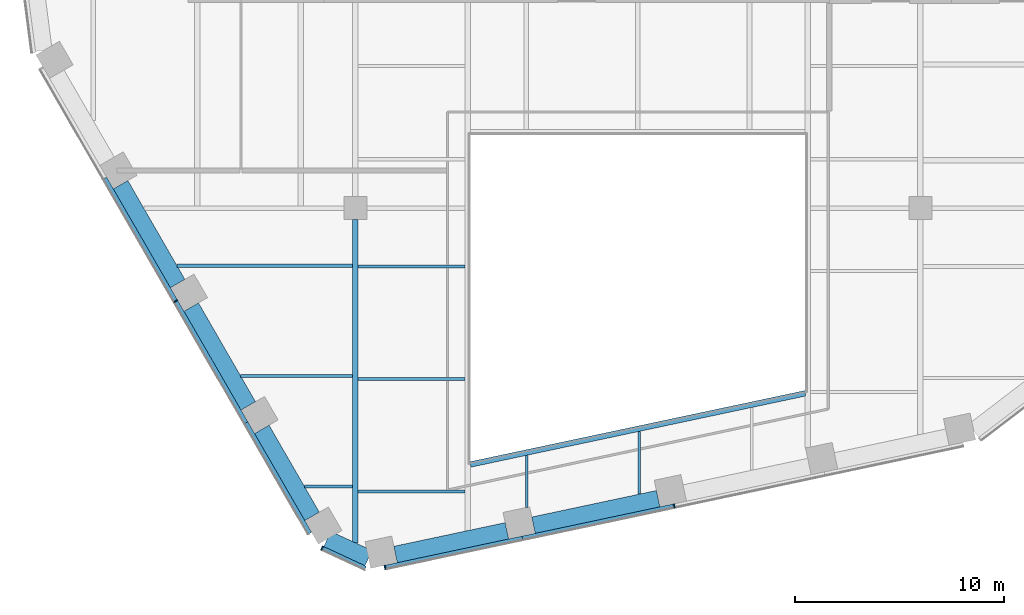
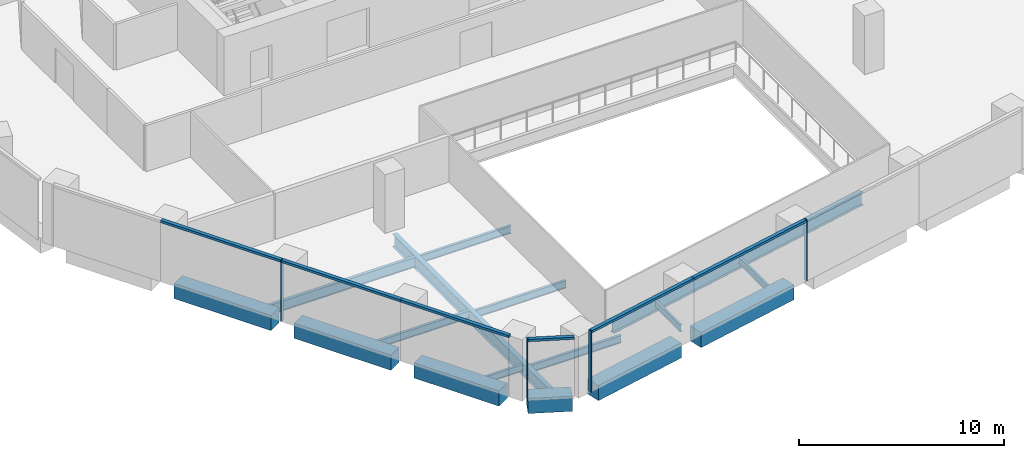
# One storey, part 2 of 16: 16 beams, 10 members, 3 elements without a shape of their own.
"""IFC4 building model written with IfcOpenShell, lengths in metres."""

from ifc_helpers import new_model, si_unit, direction, frame, origin, origin_2d, place, context, subcontext, project, spatial, rectangle, i_section, extrude, material, layer, layer_set, material_profile, profile_set, type_object, element, aggregate, save


model = new_model("IFC4")

# Units and contexts
model_context = context("Model", 3, precision=1e-05, world=origin(), true_north=direction((0.0, 1.0)))
body_context = subcontext(model_context, "Body", "Model", "MODEL_VIEW")
ifc_project = project(units=[si_unit("LENGTHUNIT", "METRE"), si_unit("AREAUNIT", "SQUARE_METRE"), si_unit("VOLUMEUNIT", "CUBIC_METRE"), si_unit("PLANEANGLEUNIT", "RADIAN"), si_unit("MASSUNIT", "GRAM", prefix="KILO")], contexts=[model_context])

# Site, building, storey
site_placement = place(None, origin())
site = spatial("IfcSite", under=ifc_project, at=site_placement, CompositionType="ELEMENT")
building_placement = place(site_placement, origin())
building = spatial("IfcBuilding", under=site, at=building_placement, Name="Isthmus Gate Tower", CompositionType="ELEMENT")
storey_placement = place(building_placement, frame((0.0, 0.0, 170.800048828125)))
storey = spatial("IfcBuildingStorey", under=building, at=storey_placement, Name="L42", CompositionType="ELEMENT", Elevation=170.800048828125)

# Curtain wall, member
ifc_material_1 = material(Name="Aluminium, pale champagne anodised", Category="aluminium")
ifc_layer = layer(ifc_material_1, 0.199951171875)
ifc_layer_set = layer_set([ifc_layer], Name="CW-1 UNITISED CURTAIN WALL 200 DEEP")
curtain_wall_type = type_object("IfcCurtainWallType", Name="CW-1 UNITISED CURTAIN WALL 200 DEEP", PredefinedType="NOTDEFINED", material=ifc_layer_set)
curtain_wall_1_placement = place(storey_placement, origin())
curtain_wall_1 = element("IfcCurtainWall", 1, at=curtain_wall_1_placement, inside=storey, type_object=curtain_wall_type, Name="CW-1 SW L42", PredefinedType="NOTDEFINED")
ifc_material_2 = material(Name="Aluminium, pale champagne anodised", Category="aluminium")
ifc_material_profile_1 = material_profile(ifc_material_2, rectangle(XDim=0.06005859375, YDim=0.199951171875, at=origin_2d()), Name="60x200")
ifc_profile_set_1 = profile_set([ifc_material_profile_1], Name="Aluminium, pale champagne anodised")
member_type_1 = type_object("IfcMemberType", Name="CW-1 MULLION 60 X 200", PredefinedType="MULLION", material=ifc_profile_set_1)
member_1_placement = place(storey_placement, frame((-22.08935546875, -17.93994140625, 0.0), z_axis=(0.0, 0.0, 1.0), x_axis=(0.5, -0.866025403784, 0.0)))
member_1 = element("IfcMember", 2, at=member_1_placement, type_object=member_type_1, Name="CW-1 mullion", PredefinedType="MULLION", context=body_context, shape_type="SweptSolid", body=[
    extrude(rectangle(XDim=0.06005859375, YDim=0.199951171875, at=origin_2d()), origin(), (0.0, 0.0, 1.0), 3.64990234375),
])

curtain_wall_2_placement = place(storey_placement, origin())
curtain_wall_2 = element("IfcCurtainWall", 3, at=curtain_wall_2_placement, inside=storey, type_object=curtain_wall_type, Name="CW-1 SW-S L42", PredefinedType="NOTDEFINED")
member_2_placement = place(storey_placement, frame((-15.091064453125, -29.74755859375, 0.0), z_axis=(0.0, 0.0, 1.0), x_axis=(0.907256261367, -0.420578264073, 0.0)))
member_2 = element("IfcMember", 4, at=member_2_placement, type_object=member_type_1, Name="CW-1 mullion", PredefinedType="MULLION", context=body_context, shape_type="SweptSolid", body=[
    extrude(rectangle(XDim=0.06005859375, YDim=0.199951171875, at=origin_2d()), origin(), (0.0, 0.0, 1.0), 3.64990234375),
])

# Curtain wall, members
curtain_wall_3_placement = place(storey_placement, origin())
curtain_wall_3 = element("IfcCurtainWall", 5, at=curtain_wall_3_placement, inside=storey, type_object=curtain_wall_type, Name="CW-1 S L42", PredefinedType="NOTDEFINED")
member_3_placement = place(storey_placement, frame((-12.082763671875, -30.67041015625, 0.0), z_axis=(0.0, 0.0, 1.0), x_axis=(0.978147600734, 0.207911690818, 0.0)))
member_3 = element("IfcMember", 6, at=member_3_placement, type_object=member_type_1, Name="CW-1 mullion", PredefinedType="MULLION", context=body_context, shape_type="SweptSolid", body=[
    extrude(rectangle(XDim=0.06005859375, YDim=0.199951171875, at=origin_2d()), origin(), (0.0, 0.0, 1.0), 3.64990234375),
])
member_4_placement = place(storey_placement, frame((1.740234375, -27.732421875, 0.0), z_axis=(0.0, 0.0, 1.0), x_axis=(0.978147600734, 0.207911690818, 0.0)))
member_4 = element("IfcMember", 7, at=member_4_placement, type_object=member_type_1, Name="CW-1 mullion", PredefinedType="MULLION", context=body_context, shape_type="SweptSolid", body=[
    extrude(rectangle(XDim=0.06005859375, YDim=0.199951171875, at=origin_2d()), origin(), (0.0, 0.0, 1.0), 3.64990234375),
])

# Member
ifc_material_3 = material(Name="Aluminium, pale champagne anodised", Category="aluminium")
ifc_material_profile_2 = material_profile(ifc_material_3, rectangle(XDim=0.199951171875, YDim=0.139892578125, at=origin_2d()), Name="200x140")
ifc_profile_set_2 = profile_set([ifc_material_profile_2], Name="Aluminium, pale champagne anodised")
member_type_2 = type_object("IfcMemberType", Name="CW-1 TRANSOM 200 X 140", PredefinedType="USERDEFINED", material=ifc_profile_set_2)
member_5_placement = place(storey_placement, frame((-25.4794921875, -12.068115234375, 3.579833984375), z_axis=(0.49998230858, -0.86603561769, 0.0), x_axis=(0.86603561769, 0.49998230858, 0.0)))
member_5 = element("IfcMember", 8, at=member_5_placement, type_object=member_type_2, Name="CW-1 transom", ObjectType="TRANSOM", PredefinedType="USERDEFINED", context=body_context, shape_type="SweptSolid", body=[
    extrude(rectangle(XDim=0.199951171875, YDim=0.139892578125, at=origin_2d()), origin(), (0.0, 0.0, 1.0), 6.750244140625),
])

member_6_placement = place(storey_placement, frame((-22.074462890625, -17.9658203125, 3.579833984375), z_axis=(0.499981482168, -0.866036094796, 0.0), x_axis=(0.866036094796, 0.499981482168, 0.0)))
member_6 = element("IfcMember", 9, at=member_6_placement, type_object=member_type_2, Name="CW-1 transom", ObjectType="TRANSOM", PredefinedType="USERDEFINED", context=body_context, shape_type="SweptSolid", body=[
    extrude(rectangle(XDim=0.199951171875, YDim=0.139892578125, at=origin_2d()), origin(), (0.0, 0.0, 1.0), 6.690185546875),
])

member_7_placement = place(storey_placement, frame((-18.7294921875, -23.759765625, 3.579833984375), z_axis=(0.499991521122, -0.866030299012, 0.0), x_axis=(0.866030299012, 0.499991521122, 0.0)))
member_7 = element("IfcMember", 10, at=member_7_placement, type_object=member_type_2, Name="CW-1 transom", ObjectType="TRANSOM", PredefinedType="USERDEFINED", context=body_context, shape_type="SweptSolid", body=[
    extrude(rectangle(XDim=0.199951171875, YDim=0.139892578125, at=origin_2d()), origin(), (0.0, 0.0, 1.0), 6.10009765625),
])

aggregate(curtain_wall_1, [member_5, member_1, member_6, member_7])

member_8_placement = place(storey_placement, frame((-15.06396484375, -29.76025390625, 3.579833984375), z_axis=(0.907246225564, -0.420599912268, 0.0), x_axis=(0.420599912268, 0.907246225564, 0.0)))
member_8 = element("IfcMember", 11, at=member_8_placement, type_object=member_type_2, Name="CW-1 transom", ObjectType="TRANSOM", PredefinedType="USERDEFINED", context=body_context, shape_type="SweptSolid", body=[
    extrude(rectangle(XDim=0.199951171875, YDim=0.139892578125, at=origin_2d()), origin(), (0.0, 0.0, 1.0), 2.258544921875),
])

aggregate(curtain_wall_2, [member_2, member_8])

member_9_placement = place(storey_placement, frame((-12.05322265625, -30.664306640625, 3.579833984375), z_axis=(0.97814231579, 0.207936552972, 0.0), x_axis=(-0.207936552972, 0.97814231579, 0.0)))
member_9 = element("IfcMember", 12, at=member_9_placement, type_object=member_type_2, Name="CW-1 transom", ObjectType="TRANSOM", PredefinedType="USERDEFINED", context=body_context, shape_type="SweptSolid", body=[
    extrude(rectangle(XDim=0.199951171875, YDim=0.139892578125, at=origin_2d()), origin(), (0.0, 0.0, 1.0), 6.6806640625),
])

member_10_placement = place(storey_placement, frame((-5.5185546875, -29.275146484375, 3.579833984375), z_axis=(0.978147683684, 0.207911300568, 0.0), x_axis=(-0.207911300568, 0.978147683684, 0.0)))
member_10 = element("IfcMember", 13, at=member_10_placement, type_object=member_type_2, Name="CW-1 transom", ObjectType="TRANSOM", PredefinedType="USERDEFINED", context=body_context, shape_type="SweptSolid", body=[
    extrude(rectangle(XDim=0.199951171875, YDim=0.139892578125, at=origin_2d()), origin(), (0.0, 0.0, 1.0), 7.390869140625),
])

aggregate(curtain_wall_3, [member_3, member_9, member_10, member_4])

# Beams
ifc_material_4 = material(Name="Concrete f'c 60 MPa", Category="concrete")
ifc_material_profile_3 = material_profile(ifc_material_4, rectangle(XDim=0.800048828125, YDim=0.89990234375, at=origin_2d()), Name="RC 800X900")
ifc_profile_set_3 = profile_set([ifc_material_profile_3], Name="Concrete f'c 60 MPa")
beam_type_1 = type_object("IfcBeamType", Name="RC SPANDREL 800 X 900", PredefinedType="SPANDREL", material=ifc_profile_set_3)
beam_1_placement = place(storey_placement, frame((0.970947265625, -27.384765625, -0.449951171875), z_axis=(-0.978146012851, -0.207919161079, 0.0), x_axis=(0.207919161079, -0.978146012851, 0.0)))
element("IfcBeam", 14, at=beam_1_placement, inside=storey, type_object=beam_type_1, Name="str-spandrel-L42-13", PredefinedType="SPANDREL", context=body_context, shape_type="SweptSolid", body=[
    extrude(rectangle(XDim=0.800048828125, YDim=0.89990234375, at=origin_2d()), origin(), (0.0, 0.0, 1.0), 6.090576171875),
])
beam_2_placement = place(storey_placement, frame((-6.25830078125, -28.92138671875, -0.449951171875), z_axis=(-0.978150410773, -0.207898470186, 0.0), x_axis=(0.207898470186, -0.978150410773, 0.0)))
element("IfcBeam", 15, at=beam_2_placement, inside=storey, type_object=beam_type_1, Name="str-spandrel-L42-14", PredefinedType="SPANDREL", context=body_context, shape_type="SweptSolid", body=[
    extrude(rectangle(XDim=0.800048828125, YDim=0.89990234375, at=origin_2d()), origin(), (0.0, 0.0, 1.0), 5.440673828125),
])
beam_3_placement = place(storey_placement, frame((-12.87255859375, -30.224853515625, -0.449951171875), z_axis=(-0.907290744498, 0.420503870314, 0.0), x_axis=(-0.420503870314, -0.907290744498, 0.0)))
element("IfcBeam", 16, at=beam_3_placement, inside=storey, type_object=beam_type_1, Name="str-spandrel-L42-15", PredefinedType="SPANDREL", context=body_context, shape_type="SweptSolid", body=[
    extrude(rectangle(XDim=0.800048828125, YDim=0.89990234375, at=origin_2d()), origin(), (0.0, 0.0, 1.0), 2.173095703125),
])
beam_4_placement = place(storey_placement, frame((-15.5712890625, -28.229736328125, -0.449951171875), z_axis=(-0.500017431331, 0.866015339567, 0.0), x_axis=(-0.866015339567, -0.500017431331, 0.0)))
element("IfcBeam", 17, at=beam_4_placement, inside=storey, type_object=beam_type_1, Name="str-spandrel-L42-16", PredefinedType="SPANDREL", context=body_context, shape_type="SweptSolid", body=[
    extrude(rectangle(XDim=0.800048828125, YDim=0.89990234375, at=origin_2d()), origin(), (0.0, 0.0, 1.0), 4.800048828125),
])
for number, where, z_axis, x_axis, name in (
    (18, (-18.621337890625, -22.94677734375, -0.449951171875), (-0.500002931134, 0.866023711487, 0.0), (-0.866023711487, -0.500002931134, 0.0), "str-spandrel-L42-17"),
    (19, (-21.996337890625, -17.10107421875, -0.449951171875), (-0.500002931134, 0.866023711487, 0.0), (-0.866023711487, -0.500002931134, 0.0), "str-spandrel-L42-18"),
):
    element("IfcBeam", number, at=place(storey_placement, frame(where, z_axis=z_axis, x_axis=x_axis)), inside=storey, type_object=beam_type_1, Name=name, PredefinedType="SPANDREL", context=body_context, shape_type="SweptSolid", body=[
        extrude(rectangle(XDim=0.800048828125, YDim=0.89990234375, at=origin_2d()), origin(), (0.0, 0.0, 1.0), 5.4501953125),
    ])
ifc_material_5 = material(Name="Structural steel ASTM A992 Gr 50", Category="steel")
ifc_material_profile_4 = material_profile(ifc_material_5, i_section(OverallWidth=0.1396484375, OverallDepth=0.4033203125, WebThickness=0.00634765625, FlangeThickness=0.010986328125, at=origin_2d()), Name="W16X31")
ifc_profile_set_4 = profile_set([ifc_material_profile_4], Name="Structural steel ASTM A992 Gr 50")
beam_type_2 = type_object("IfcBeamType", Name="STEEL FLOOR BEAM W16X31", PredefinedType="JOIST", material=ifc_profile_set_4)
beam_5_placement = place(storey_placement, frame((-15.937744140625, -26.795166015625, -0.3515625), z_axis=(1.0, 0.0, 0.0), x_axis=(0.0, 1.0, 0.0)))
element("IfcBeam", 20, at=beam_5_placement, inside=storey, type_object=beam_type_2, Name="str-beam-L42-02-00", PredefinedType="JOIST", context=body_context, shape_type="SweptSolid", body=[
    extrude(i_section(OverallWidth=0.1396484375, OverallDepth=0.4033203125, WebThickness=0.00634765625, FlangeThickness=0.010986328125, at=origin_2d()), origin(), (0.0, 0.0, 1.0), 2.304443359375),
])
beam_6_placement = place(storey_placement, frame((-5.311279296875, -27.7998046875, -0.3515625), z_axis=(0.0, 1.0, 0.0), x_axis=(-1.0, 0.0, 0.0)))
element("IfcBeam", 21, at=beam_6_placement, inside=storey, type_object=beam_type_2, Name="str-beam-L42-07-00", PredefinedType="JOIST", context=body_context, shape_type="SweptSolid", body=[
    extrude(i_section(OverallWidth=0.1396484375, OverallDepth=0.4033203125, WebThickness=0.00634765625, FlangeThickness=0.010986328125, at=origin_2d()), origin(), (0.0, 0.0, 1.0), 2.487548828125),
])
beam_7_placement = place(storey_placement, frame((0.06591796875, -27.168212890625, -0.3515625), z_axis=(0.0, 1.0, 0.0), x_axis=(-1.0, 0.0, 0.0)))
element("IfcBeam", 22, at=beam_7_placement, inside=storey, type_object=beam_type_2, Name="str-beam-L42-07-01", PredefinedType="JOIST", context=body_context, shape_type="SweptSolid", body=[
    extrude(i_section(OverallWidth=0.1396484375, OverallDepth=0.4033203125, WebThickness=0.00634765625, FlangeThickness=0.010986328125, at=origin_2d()), origin(), (0.0, 0.0, 1.0), 2.9990234375),
])
ifc_material_6 = material(Name="Structural steel ASTM A992 Gr 50", Category="steel")
ifc_material_profile_5 = material_profile(ifc_material_6, i_section(OverallWidth=0.15234375, OverallDepth=0.45068359375, WebThickness=0.0078125, FlangeThickness=0.010986328125, at=origin_2d()), Name="W18X35")
ifc_profile_set_5 = profile_set([ifc_material_profile_5], Name="Structural steel ASTM A992 Gr 50")
beam_type_3 = type_object("IfcBeamType", Name="STEEL FLOOR BEAM W18X35", PredefinedType="JOIST", material=ifc_profile_set_5)
beam_8_placement = place(storey_placement, frame((-18.981689453125, -21.52294921875, -0.37548828125), z_axis=(1.0, 0.0, 0.0), x_axis=(0.0, 1.0, 0.0)))
element("IfcBeam", 23, at=beam_8_placement, inside=storey, type_object=beam_type_3, Name="str-beam-L42-02-01", PredefinedType="JOIST", context=body_context, shape_type="SweptSolid", body=[
    extrude(i_section(OverallWidth=0.15234375, OverallDepth=0.45068359375, WebThickness=0.0078125, FlangeThickness=0.010986328125, at=origin_2d()), origin(), (0.0, 0.0, 1.0), 5.348388671875),
])
for number, where, z_axis, x_axis, name in (
    (24, (-13.36669921875, -27.04736328125, -0.37548828125), (1.0, 0.0, 0.0), (0.0, 1.0, 0.0), "str-beam-L42-03-00"),
    (25, (-13.36669921875, -21.67041015625, -0.37548828125), (1.0, 0.0, 0.0), (0.0, 1.0, 0.0), "str-beam-L42-03-01"),
    (26, (-13.36669921875, -16.293212890625, -0.37548828125), (1.0, 0.0, 0.0), (0.0, 1.0, 0.0), "str-beam-L42-03-02"),
):
    element("IfcBeam", number, at=place(storey_placement, frame(where, z_axis=z_axis, x_axis=x_axis)), inside=storey, type_object=beam_type_3, Name=name, PredefinedType="JOIST", context=body_context, shape_type="SweptSolid", body=[
        extrude(i_section(OverallWidth=0.15234375, OverallDepth=0.45068359375, WebThickness=0.0078125, FlangeThickness=0.010986328125, at=origin_2d()), origin(), (0.0, 0.0, 1.0), 5.10009765625),
    ])
ifc_material_7 = material(Name="Structural steel ASTM A992 Gr 50", Category="steel")
ifc_material_profile_6 = material_profile(ifc_material_7, i_section(OverallWidth=0.177734375, OverallDepth=0.60009765625, WebThickness=0.009521484375, FlangeThickness=0.0126953125, at=origin_2d()), Name="W24X55")
ifc_profile_set_6 = profile_set([ifc_material_profile_6], Name="Structural steel ASTM A992 Gr 50")
beam_type_4 = type_object("IfcBeamType", Name="STEEL FLOOR BEAM W24X55", PredefinedType="JOIST", material=ifc_profile_set_6)
beam_9_placement = place(storey_placement, frame((-22.025634765625, -16.25048828125, -0.4501953125), z_axis=(1.0, 0.0, 0.0), x_axis=(0.0, 1.0, 0.0)))
element("IfcBeam", 27, at=beam_9_placement, inside=storey, type_object=beam_type_4, Name="str-beam-L42-02-02", PredefinedType="JOIST", context=body_context, shape_type="SweptSolid", body=[
    extrude(i_section(OverallWidth=0.177734375, OverallDepth=0.60009765625, WebThickness=0.009521484375, FlangeThickness=0.0126953125, at=origin_2d()), origin(), (0.0, 0.0, 1.0), 8.392333984375),
])
ifc_material_8 = material(Name="Structural steel ASTM A992 Gr 50", Category="steel")
ifc_material_profile_7 = material_profile(ifc_material_8, i_section(OverallWidth=0.2666015625, OverallDepth=0.7587890625, WebThickness=0.014404296875, FlangeThickness=0.01904296875, at=origin_2d()), Name="W30X108")
ifc_profile_set_7 = profile_set([ifc_material_profile_7], Name="Structural steel ASTM A992 Gr 50")
beam_type_5 = type_object("IfcBeamType", Name="STEEL GIRDER W30X108", PredefinedType="BEAM", material=ifc_profile_set_7)
beam_10_placement = place(storey_placement, frame((-13.5, -29.4931640625, -0.529541015625), z_axis=(0.0, 1.0, 0.0), x_axis=(-1.0, 0.0, 0.0)))
element("IfcBeam", 28, at=beam_10_placement, inside=storey, type_object=beam_type_5, Name="str-girder-L42-07", PredefinedType="BEAM", context=body_context, shape_type="SweptSolid", body=[
    extrude(i_section(OverallWidth=0.2666015625, OverallDepth=0.7587890625, WebThickness=0.014404296875, FlangeThickness=0.01904296875, at=origin_2d()), origin(), (0.0, 0.0, 1.0), 15.443115234375),
])
ifc_material_9 = material(Name="Structural steel ASTM A992 Gr 50", Category="steel")
ifc_material_profile_8 = material_profile(ifc_material_9, i_section(OverallWidth=0.2666015625, OverallDepth=0.7587890625, WebThickness=0.014404296875, FlangeThickness=0.01904296875, at=origin_2d()), Name="W30X108")
ifc_profile_set_8 = profile_set([ifc_material_profile_8], Name="Structural steel ASTM A992 Gr 50")
beam_type_6 = type_object("IfcBeamType", Name="STEEL TRIMMER W30X108", PredefinedType="BEAM", material=ifc_profile_set_8)
beam_11_placement = place(storey_placement, frame((-8.0, -25.747314453125, -0.529541015625), z_axis=(0.978147924985, 0.20791016533, 0.0), x_axis=(-0.20791016533, 0.978147924985, 0.0)))
element("IfcBeam", 29, at=beam_11_placement, inside=storey, type_object=beam_type_6, Name="str-trimmer-L42-03", PredefinedType="BEAM", context=body_context, shape_type="SweptSolid", body=[
    extrude(i_section(OverallWidth=0.2666015625, OverallDepth=0.7587890625, WebThickness=0.014404296875, FlangeThickness=0.01904296875, at=origin_2d()), origin(), (0.0, 0.0, 1.0), 16.357421875),
])

save(model, "model.ifc")
